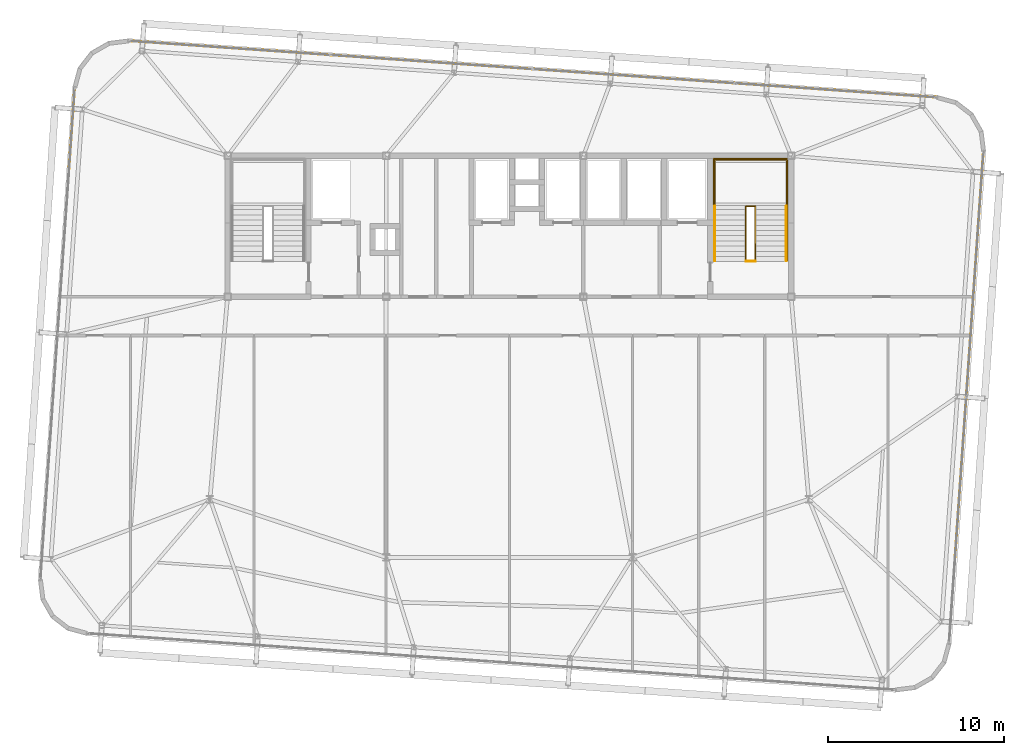
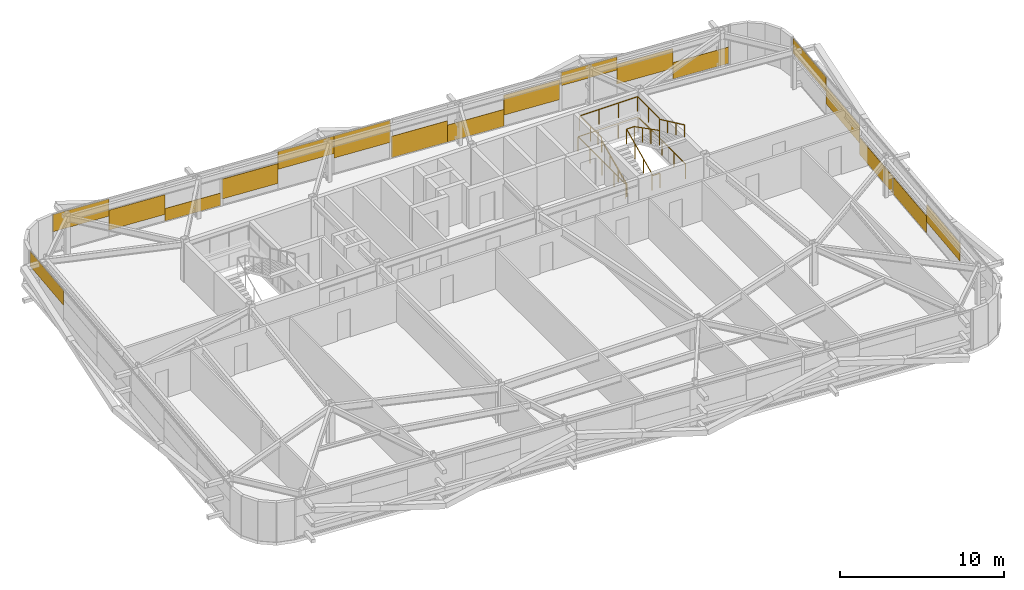
# One storey, part 39 of 39: 18 coverings, 6 railings.
"""IFC4 building model written with IfcOpenShell, lengths in metres."""

import ifcopenshell
import ifcopenshell.guid

model = None  # the IFC model being written
_history = None  # IfcOwnerHistory: only IFC2X3 demands one
_inside = {}  # id of a spatial element -> (the spatial element, [elements in it])
_under = {}  # id of a project, library or spatial element -> (it, [spatial elements below it])
_declared = {}  # id of a project -> (the project, [libraries it declares])
_typed = {}  # id of a type object -> (the type object, [elements of that type])
_made_of = {}  # id of a material, layer set ... -> (it, [elements and type objects made of it])


def new_model(schema):
    """Start an empty IFC model of exactly this schema.

    Asked for "IFC4X3", IfcOpenShell would pick the latest addendum, in which some entities
    have other attributes; the version numbers below select the first issue.
    IFC2X3 requires an IfcOwnerHistory on every rooted entity: one is made here for all.
    """
    global model, _history
    if schema == "IFC4X3":
        model = ifcopenshell.file(schema_version=(4, 3, 0, 0))
    else:
        model = ifcopenshell.file(schema=schema)
    _inside.clear()
    _under.clear()
    _declared.clear()
    _typed.clear()
    _made_of.clear()
    _history = None
    if model.schema == "IFC2X3":
        org = make("IfcOrganization", Name="unknown")
        user = make(
            "IfcPersonAndOrganization",
            ThePerson=make("IfcPerson", FamilyName="unknown"),
            TheOrganization=org,
        )
        app = make(
            "IfcApplication",
            ApplicationDeveloper=org,
            Version="unknown",
            ApplicationFullName="unknown",
            ApplicationIdentifier="unknown",
        )
        _history = make(
            "IfcOwnerHistory",
            OwningUser=user,
            OwningApplication=app,
            ChangeAction="ADDED",
            CreationDate=0,
        )
    return model


def make(cls, **values):
    """One entity of the class cls with the attributes given. An attribute that is None is left unset."""
    return model.create_entity(
        cls, **{name: value for name, value in values.items() if value is not None}
    )


def rooted(cls, **values):
    """An entity with a GlobalId (a new one), such as an element, a storey or a relation."""
    return make(cls, GlobalId=ifcopenshell.guid.new(), OwnerHistory=_history, **values)


def si_unit(unit_type, name, prefix=None):
    """IfcSIUnit, for example si_unit("LENGTHUNIT", "METRE", prefix="MILLI")."""
    return make("IfcSIUnit", UnitType=unit_type, Prefix=prefix, Name=name)


def assignment(units):
    """IfcUnitAssignment: the units of a project."""
    return None if units is None else make("IfcUnitAssignment", Units=units)


def point(xyz):
    """IfcCartesianPoint."""
    return None if xyz is None else make("IfcCartesianPoint", Coordinates=xyz)


def direction(xyz):
    """IfcDirection."""
    return None if xyz is None else make("IfcDirection", DirectionRatios=xyz)


def frame(location, z_axis=None, x_axis=None):
    """IfcAxis2Placement3D, a coordinate frame: its origin and axes. An axis left out is left unset."""
    return make(
        "IfcAxis2Placement3D",
        Location=point(location),
        Axis=direction(z_axis),
        RefDirection=direction(x_axis),
    )


def frame_2d(location, x_axis=None):
    """IfcAxis2Placement2D, a coordinate frame in the plane: its origin and x axis."""
    return make(
        "IfcAxis2Placement2D", Location=point(location), RefDirection=direction(x_axis)
    )


def origin():
    """The frame at (0, 0, 0) with its axes left unset."""
    return frame((0.0, 0.0, 0.0))


def origin_2d():
    """The frame at (0, 0) in the plane with its x axis left unset."""
    return frame_2d((0.0, 0.0))


def place(relative_to, where):
    """IfcLocalPlacement: puts the frame where relative to a parent placement (None: the world)."""
    return make(
        "IfcLocalPlacement", PlacementRelTo=relative_to, RelativePlacement=where
    )


def context(
    kind, dimensions, precision=None, world=None, true_north=None, identifier=None
):
    """IfcGeometricRepresentationContext, for example the 3D "Model" context."""
    return make(
        "IfcGeometricRepresentationContext",
        ContextIdentifier=identifier,
        ContextType=kind,
        CoordinateSpaceDimension=dimensions,
        Precision=precision,
        WorldCoordinateSystem=world,
        TrueNorth=true_north,
    )


def subcontext(parent, identifier, kind, view, scale=None):
    """IfcGeometricRepresentationSubContext, for example "Body" below "Model"."""
    return make(
        "IfcGeometricRepresentationSubContext",
        ContextIdentifier=identifier,
        ContextType=kind,
        ParentContext=parent,
        TargetScale=scale,
        TargetView=view,
    )


def project(units=None, contexts=None):
    """IfcProject with its units and contexts."""
    return rooted(
        "IfcProject",
        Name="project",
        RepresentationContexts=contexts,
        UnitsInContext=assignment(units),
    )


def spatial(cls, under=None, at=None, **own):
    """A site, building, storey or space (cls), placed at a placement, below another one or the project."""
    s = rooted(cls, ObjectPlacement=at, **own)
    if under is not None:
        _under.setdefault(under.id(), (under, []))[1].append(s)
    return s


def profile(cls, at=None, kind="AREA", **sizes):
    """A parametric profile (cls). Its sizes go by their IFC names, for example OverallWidth=200.0."""
    return make(cls, ProfileType=kind, Position=at, **sizes)


def rectangle(**sizes):
    """IfcRectangleProfileDef."""
    return profile("IfcRectangleProfileDef", **sizes)


def extrude(swept, where, along, depth):
    """IfcExtrudedAreaSolid: the profile swept, set in the frame where, extruded along a direction by depth."""
    return make(
        "IfcExtrudedAreaSolid",
        SweptArea=swept,
        Position=where,
        ExtrudedDirection=direction(along),
        Depth=depth,
    )


def shape(context_of_items, identifier, shape_type, items):
    """IfcShapeRepresentation: the items that make up one representation, for example the "Body"."""
    return make(
        "IfcShapeRepresentation",
        ContextOfItems=context_of_items,
        RepresentationIdentifier=identifier,
        RepresentationType=shape_type,
        Items=items,
    )


def source(mapping_origin, context_of_items, identifier, shape_type, items):
    """IfcRepresentationMap: a shape defined once, which mapped items show again and again."""
    return make(
        "IfcRepresentationMap",
        MappingOrigin=mapping_origin,
        MappedRepresentation=shape(context_of_items, identifier, shape_type, items),
    )


def transform(
    local_origin,
    x_axis=None,
    y_axis=None,
    z_axis=None,
    scale=None,
    scale2=None,
    scale3=None,
    uniform=True,
):
    """IfcCartesianTransformationOperator3D, or its non-uniform kind. x_axis, y_axis, z_axis: its Axis1, 2, 3."""
    if uniform:
        return make(
            "IfcCartesianTransformationOperator3D",
            Axis1=direction(x_axis),
            Axis2=direction(y_axis),
            LocalOrigin=point(local_origin),
            Scale=scale,
            Axis3=direction(z_axis),
        )
    return make(
        "IfcCartesianTransformationOperator3DnonUniform",
        Axis1=direction(x_axis),
        Axis2=direction(y_axis),
        LocalOrigin=point(local_origin),
        Scale=scale,
        Axis3=direction(z_axis),
        Scale2=scale2,
        Scale3=scale3,
    )


def mapped(mapping_source, mapping_target):
    """IfcMappedItem: shows the shape of a source again, moved by a transform."""
    return make(
        "IfcMappedItem", MappingSource=mapping_source, MappingTarget=mapping_target
    )


def material(Name=None, Category=None):
    """IfcMaterial."""
    return make("IfcMaterial", Name=Name, Category=Category)


def layer(
    of_material, thickness, ventilated=None, Name=None, Category=None, Priority=None
):
    """IfcMaterialLayer: one layer of a wall or slab, of a material (None: an air gap)."""
    return make(
        "IfcMaterialLayer",
        Material=of_material,
        LayerThickness=thickness,
        IsVentilated=ventilated,
        Name=Name,
        Category=Category,
        Priority=Priority,
    )


def layer_set(layers, Name=None):
    """IfcMaterialLayerSet."""
    return make("IfcMaterialLayerSet", MaterialLayers=layers, LayerSetName=Name)


def made_of(thing, what):
    """Note that an element or type object is made of a material, layer set ...; save() writes the relation."""
    if what is not None:
        _made_of.setdefault(what.id(), (what, []))[1].append(thing)
    return thing


def type_object(cls, material=None, **own):
    """A type object (cls), such as IfcWallType, which elements share."""
    return made_of(rooted(cls, **own), material)


def element(
    cls,
    number,
    at=None,
    inside=None,
    cuts=None,
    type_object=None,
    material=None,
    context=None,
    identifier="Body",
    shape_type=None,
    held_by="IfcProductDefinitionShape",
    body=None,
    shapes=None,
    **own,
):
    """One element of the class cls, such as IfcWall. Its Tag is "e" and its number.

    at: its placement. inside: the storey or other place that contains it. cuts: it is an
    opening in that element (IfcRelVoidsElement). A single representation is given by context,
    identifier, shape_type and body (its items); several are given by shapes. held_by: the class
    of the entity that holds the representations. save() writes the other relations.
    """
    e = rooted(cls, Tag="e%d" % number, ObjectPlacement=at, **own)
    if body is not None:
        shapes = [shape(context, identifier, shape_type, body)]
    if shapes is not None:
        e.Representation = make(held_by, Representations=shapes)
    if inside is not None:
        _inside.setdefault(inside.id(), (inside, []))[1].append(e)
    if cuts is not None:
        rooted(
            "IfcRelVoidsElement", RelatingBuildingElement=cuts, RelatedOpeningElement=e
        )
    if type_object is not None:
        _typed.setdefault(type_object.id(), (type_object, []))[1].append(e)
    return made_of(e, material)


def aggregate(whole, parts):
    """IfcRelAggregates: a whole, such as a stair, and the parts it consists of."""
    return rooted("IfcRelAggregates", RelatingObject=whole, RelatedObjects=parts)


def save(model, path):
    """Write the relations noted so far, then the file.

    IfcRelAggregates (storeys below a building ...), IfcRelContainedInSpatialStructure (elements
    in a storey), IfcRelDefinesByType, IfcRelAssociatesMaterial and IfcRelDeclares: one each for
    every whole, place, type object, material and project.
    """
    for whole, parts in _under.values():
        aggregate(whole, parts)
    for where, things in _inside.values():
        rooted(
            "IfcRelContainedInSpatialStructure",
            RelatedElements=things,
            RelatingStructure=where,
        )
    for kind, things in _typed.values():
        rooted("IfcRelDefinesByType", RelatedObjects=things, RelatingType=kind)
    for what, things in _made_of.values():
        rooted("IfcRelAssociatesMaterial", RelatedObjects=things, RelatingMaterial=what)
    for by, libraries in _declared.values():
        rooted("IfcRelDeclares", RelatingContext=by, RelatedDefinitions=libraries)
    model.write(path)


model = new_model("IFC4")

# Units and contexts
model_context = context("Model", 3, precision=1e-05, world=origin(), true_north=direction((0.0, 1.0)))
body_context = subcontext(model_context, "Body", "Model", "MODEL_VIEW")
ifc_project = project(units=[si_unit("LENGTHUNIT", "METRE"), si_unit("AREAUNIT", "SQUARE_METRE"), si_unit("VOLUMEUNIT", "CUBIC_METRE"), si_unit("PLANEANGLEUNIT", "RADIAN"), si_unit("MASSUNIT", "GRAM", prefix="KILO")], contexts=[model_context])

# Site, building, storey
site_placement = place(None, origin())
site = spatial("IfcSite", under=ifc_project, at=site_placement, CompositionType="ELEMENT")
building_placement = place(site_placement, origin())
building = spatial("IfcBuilding", under=site, at=building_placement, Name="Taldren Reach Tower", CompositionType="ELEMENT")
storey_placement = place(building_placement, frame((0.0, 0.0, 155.050048828125)))
storey = spatial("IfcBuildingStorey", under=building, at=storey_placement, Name="L47", CompositionType="ELEMENT", Elevation=155.050048828125)

# Railings
ifc_material_1 = material(Name="Steel Gr 350 (C350L0)", Category="steel")
ifc_layer_1 = layer(ifc_material_1, 0.050048828125)
ifc_layer_set_1 = layer_set([ifc_layer_1], Name="Steel Gr 350 (C350L0)")
railing_type_1 = type_object("IfcRailingType", Name="RL-STAIR-GR", PredefinedType="GUARDRAIL", material=ifc_layer_set_1)
railing_1_placement = place(storey_placement, frame((46.659912109375, 29.135009765625, 1.574951171875)))
element("IfcRailing", 1, at=railing_1_placement, inside=storey, type_object=railing_type_1, Name="Stair half-landing perimeter guard ST2-L47", PredefinedType="GUARDRAIL", context=body_context, shape_type="SweptSolid", body=[
    extrude(rectangle(XDim=0.047852, YDim=0.047852, at=origin_2d()), frame((0.0, 0.0, 1.09619140625), z_axis=(0.0, 1.0, 0.0), x_axis=(-1.0, 0.0, 0.0)), (0.0, 0.0, 1.0), 2.64501953125),
    extrude(rectangle(XDim=0.047852, YDim=0.047852, at=origin_2d()), frame((0.0, 2.64501953125, 1.09619140625), z_axis=(1.0, 0.0, 0.0), x_axis=(0.0, 1.0, 0.0)), (0.0, 0.0, 1.0), 4.080078125),
    extrude(rectangle(XDim=0.047852, YDim=0.047852, at=origin_2d()), frame((4.080078125, 2.64501953125, 1.09619140625), z_axis=(0.0, -1.0, 0.0), x_axis=(1.0, 0.0, 0.0)), (0.0, 0.0, 1.0), 2.64501953125),
    extrude(rectangle(XDim=0.041992, YDim=0.041992, at=origin_2d()), origin(), (0.0, 0.0, 1.0), 1.072021484375),
    extrude(rectangle(XDim=0.041992, YDim=0.041992, at=origin_2d()), frame((0.0, 1.322509765625, 0.0)), (0.0, 0.0, 1.0), 1.072021484375),
    extrude(rectangle(XDim=0.041992, YDim=0.041992, at=origin_2d()), frame((0.0, 2.64501953125, 0.0)), (0.0, 0.0, 1.0), 1.072021484375),
    extrude(rectangle(XDim=0.041992, YDim=0.041992, at=origin_2d()), frame((1.360107421875, 2.64501953125, 0.0)), (0.0, 0.0, 1.0), 1.072021484375),
    extrude(rectangle(XDim=0.041992, YDim=0.041992, at=origin_2d()), frame((2.719970703125, 2.64501953125, 0.0)), (0.0, 0.0, 1.0), 1.072021484375),
    extrude(rectangle(XDim=0.041992, YDim=0.041992, at=origin_2d()), frame((4.080078125, 2.64501953125, 0.0)), (0.0, 0.0, 1.0), 1.072021484375),
    extrude(rectangle(XDim=0.041992, YDim=0.041992, at=origin_2d()), frame((4.080078125, 1.322509765625, 0.0)), (0.0, 0.0, 1.0), 1.072021484375),
    extrude(rectangle(XDim=0.041992, YDim=0.041992, at=origin_2d()), frame((4.080078125, 0.0, 0.0)), (0.0, 0.0, 1.0), 1.072021484375),
])
railing_2_placement = place(storey_placement, frame((48.429931640625, 26.050048828125, 0.13134765625)))
element("IfcRailing", 2, at=railing_2_placement, inside=storey, type_object=railing_type_1, Name="Stairwell inner guard ST2-L47", PredefinedType="GUARDRAIL", context=body_context, shape_type="SweptSolid", body=[
    extrude(rectangle(XDim=0.047852, YDim=0.047852, at=origin_2d()), frame((0.0, 0.0, 1.09619140625), z_axis=(0.0, 0.905737652094, 0.423838773095), x_axis=(-1.0, 0.0, 0.0)), (0.0, 0.0, 1.0), 3.406005859375),
    extrude(rectangle(XDim=0.047852, YDim=0.047852, at=origin_2d()), frame((0.0, 3.0849609375, 2.53955078125), z_axis=(1.0, 0.0, 0.0), x_axis=(0.0, 1.0, 0.0)), (0.0, 0.0, 1.0), 0.5400390625),
    extrude(rectangle(XDim=0.047852, YDim=0.047852, at=origin_2d()), frame((0.5400390625, 3.0849609375, 2.53955078125), z_axis=(0.0, -0.890645957773, 0.45469745755), x_axis=(1.0, 0.0, 0.0)), (0.0, 0.0, 1.0), 3.463623046875),
    extrude(rectangle(XDim=0.041992, YDim=0.041992, at=origin_2d()), origin(), (0.0, 0.0, 1.0), 1.072021484375),
    extrude(rectangle(XDim=0.041992, YDim=0.041992, at=origin_2d()), frame((0.0, 1.0283203125, 0.481201171875)), (0.0, 0.0, 1.0), 1.072021484375),
    extrude(rectangle(XDim=0.041992, YDim=0.041992, at=origin_2d()), frame((0.0, 2.056640625, 0.96240234375)), (0.0, 0.0, 1.0), 1.072021484375),
    extrude(rectangle(XDim=0.041992, YDim=0.041992, at=origin_2d()), frame((0.0, 3.0849609375, 1.443603515625)), (0.0, 0.0, 1.0), 1.072021484375),
    extrude(rectangle(XDim=0.041992, YDim=0.041992, at=origin_2d()), frame((0.5400390625, 3.0849609375, 1.443603515625)), (0.0, 0.0, 1.0), 1.072021484375),
    extrude(rectangle(XDim=0.041992, YDim=0.041992, at=origin_2d()), frame((0.5400390625, 2.056640625, 1.968505859375)), (0.0, 0.0, 1.0), 1.072021484375),
    extrude(rectangle(XDim=0.041992, YDim=0.041992, at=origin_2d()), frame((0.5400390625, 1.0283203125, 2.49365234375)), (0.0, 0.0, 1.0), 1.072021484375),
    extrude(rectangle(XDim=0.041992, YDim=0.041992, at=origin_2d()), frame((0.5400390625, 0.0, 3.0185546875)), (0.0, 0.0, 1.0), 1.072021484375),
])
railing_3_placement = place(storey_placement, frame((48.429931640625, 26.010009765625, 0.0)))
element("IfcRailing", 3, at=railing_3_placement, inside=storey, type_object=railing_type_1, Name="Stairwell landing slot guard ST2-L47", PredefinedType="GUARDRAIL", context=body_context, shape_type="SweptSolid", body=[
    extrude(rectangle(XDim=0.047852, YDim=0.047852, at=origin_2d()), frame((0.0, 0.0, 1.09619140625), z_axis=(1.0, 0.0, 0.0), x_axis=(0.0, 1.0, 0.0)), (0.0, 0.0, 1.0), 0.5400390625),
    extrude(rectangle(XDim=0.041992, YDim=0.041992, at=origin_2d()), origin(), (0.0, 0.0, 1.0), 1.072021484375),
    extrude(rectangle(XDim=0.041992, YDim=0.041992, at=origin_2d()), frame((0.5400390625, 0.0, 0.0)), (0.0, 0.0, 1.0), 1.072021484375),
])
railing_4_placement = place(storey_placement, frame((46.590087890625, 26.050048828125, 0.0)))
element("IfcRailing", 4, at=railing_4_placement, inside=storey, type_object=railing_type_1, Name="Stairwell floor opening guard ST2-L47", PredefinedType="GUARDRAIL", context=body_context, shape_type="SweptSolid", body=[
    extrude(rectangle(XDim=0.047852, YDim=0.047852, at=origin_2d()), frame((0.0, 0.0, 1.09619140625), z_axis=(0.0, 1.0, 0.0), x_axis=(-1.0, 0.0, 0.0)), (0.0, 0.0, 1.0), 5.800048828125),
    extrude(rectangle(XDim=0.047852, YDim=0.047852, at=origin_2d()), frame((0.0, 5.800048828125, 1.09619140625), z_axis=(1.0, 0.0, 0.0), x_axis=(0.0, 1.0, 0.0)), (0.0, 0.0, 1.0), 4.219970703125),
    extrude(rectangle(XDim=0.047852, YDim=0.047852, at=origin_2d()), frame((4.219970703125, 5.800048828125, 1.09619140625), z_axis=(0.0, -1.0, 0.0), x_axis=(1.0, 0.0, 0.0)), (0.0, 0.0, 1.0), 5.800048828125),
    extrude(rectangle(XDim=0.041992, YDim=0.041992, at=origin_2d()), origin(), (0.0, 0.0, 1.0), 1.072021484375),
    extrude(rectangle(XDim=0.041992, YDim=0.041992, at=origin_2d()), frame((0.0, 1.449951171875, 0.0)), (0.0, 0.0, 1.0), 1.072021484375),
    extrude(rectangle(XDim=0.041992, YDim=0.041992, at=origin_2d()), frame((0.0, 2.89990234375, 0.0)), (0.0, 0.0, 1.0), 1.072021484375),
    extrude(rectangle(XDim=0.041992, YDim=0.041992, at=origin_2d()), frame((0.0, 4.35009765625, 0.0)), (0.0, 0.0, 1.0), 1.072021484375),
    extrude(rectangle(XDim=0.041992, YDim=0.041992, at=origin_2d()), frame((0.0, 5.800048828125, 0.0)), (0.0, 0.0, 1.0), 1.072021484375),
    extrude(rectangle(XDim=0.041992, YDim=0.041992, at=origin_2d()), frame((1.40673828125, 5.800048828125, 0.0)), (0.0, 0.0, 1.0), 1.072021484375),
    extrude(rectangle(XDim=0.041992, YDim=0.041992, at=origin_2d()), frame((2.813232421875, 5.800048828125, 0.0)), (0.0, 0.0, 1.0), 1.072021484375),
    extrude(rectangle(XDim=0.041992, YDim=0.041992, at=origin_2d()), frame((4.219970703125, 5.800048828125, 0.0)), (0.0, 0.0, 1.0), 1.072021484375),
    extrude(rectangle(XDim=0.041992, YDim=0.041992, at=origin_2d()), frame((4.219970703125, 4.35009765625, 0.0)), (0.0, 0.0, 1.0), 1.072021484375),
    extrude(rectangle(XDim=0.041992, YDim=0.041992, at=origin_2d()), frame((4.219970703125, 2.89990234375, 0.0)), (0.0, 0.0, 1.0), 1.072021484375),
    extrude(rectangle(XDim=0.041992, YDim=0.041992, at=origin_2d()), frame((4.219970703125, 1.449951171875, 0.0)), (0.0, 0.0, 1.0), 1.072021484375),
    extrude(rectangle(XDim=0.041992, YDim=0.041992, at=origin_2d()), frame((4.219970703125, 0.0, 0.0)), (0.0, 0.0, 1.0), 1.072021484375),
])
ifc_material_2 = material(Name="Stainless Steel Gr 316", Category="steel")
ifc_layer_2 = layer(ifc_material_2, 0.048095703125)
ifc_layer_set_2 = layer_set([ifc_layer_2], Name="Stainless Steel Gr 316")
railing_type_2 = type_object("IfcRailingType", Name="RL-STAIR-HR", PredefinedType="HANDRAIL", material=ifc_layer_set_2)
railing_5_placement = place(storey_placement, frame((46.669921875, 26.050048828125, 0.13134765625)))
element("IfcRailing", 5, at=railing_5_placement, inside=storey, type_object=railing_type_2, Name="Stair flight handrail ST2-L47-1", PredefinedType="HANDRAIL", context=body_context, shape_type="SweptSolid", body=[
    extrude(rectangle(XDim=0.047852, YDim=0.047852, at=origin_2d()), frame((0.0, 0.0, 0.89599609375), z_axis=(0.0, 0.905737652094, 0.423838773095), x_axis=(-1.0, 0.0, 0.0)), (0.0, 0.0, 1.0), 3.406005859375),
    extrude(rectangle(XDim=0.041992, YDim=0.041992, at=origin_2d()), origin(), (0.0, 0.0, 1.0), 0.871826171875),
    extrude(rectangle(XDim=0.041992, YDim=0.041992, at=origin_2d()), frame((0.0, 1.0283203125, 0.481201171875)), (0.0, 0.0, 1.0), 0.871826171875),
    extrude(rectangle(XDim=0.041992, YDim=0.041992, at=origin_2d()), frame((0.0, 2.056640625, 0.96240234375)), (0.0, 0.0, 1.0), 0.871826171875),
    extrude(rectangle(XDim=0.041992, YDim=0.041992, at=origin_2d()), frame((0.0, 3.0849609375, 1.443603515625)), (0.0, 0.0, 1.0), 0.871826171875),
])
railing_6_placement = place(storey_placement, frame((50.72998046875, 29.135009765625, 1.7060546875)))
element("IfcRailing", 6, at=railing_6_placement, inside=storey, type_object=railing_type_2, Name="Stair flight handrail ST2-L47-2", PredefinedType="HANDRAIL", context=body_context, shape_type="SweptSolid", body=[
    extrude(rectangle(XDim=0.047852, YDim=0.047852, at=origin_2d()), frame((0.0, 0.0, 0.89599609375), z_axis=(0.0, -0.905710134349, 0.423897573167), x_axis=(1.0, 0.0, 0.0)), (0.0, 0.0, 1.0), 3.406005859375),
    extrude(rectangle(XDim=0.041992, YDim=0.041992, at=origin_2d()), origin(), (0.0, 0.0, 1.0), 0.871826171875),
    extrude(rectangle(XDim=0.041992, YDim=0.041992, at=origin_2d()), frame((0.0, -1.0283203125, 0.481201171875)), (0.0, 0.0, 1.0), 0.871826171875),
    extrude(rectangle(XDim=0.041992, YDim=0.041992, at=origin_2d()), frame((0.0, -2.056640625, 0.962646484375)), (0.0, 0.0, 1.0), 0.871826171875),
    extrude(rectangle(XDim=0.041992, YDim=0.041992, at=origin_2d()), frame((0.0, -3.0849609375, 1.44384765625)), (0.0, 0.0, 1.0), 0.871826171875),
])

# Coverings
ifc_material_3 = material(Name="Pale Champagne Fluoropolymer Aluminium Spandrel Cladding", Category="aluminium")
ifc_layer_3 = layer(ifc_material_3, 0.0439453125)
ifc_layer_set_3 = layer_set([ifc_layer_3], Name="Pale Champagne Fluoropolymer Aluminium Spandrel Cladding")
covering_type = type_object("IfcCoveringType", Name="CV-CLAD-044", PredefinedType="CLADDING", material=ifc_layer_set_3)
shared_shape_1 = source(origin(), body_context, "Body", "SweptSolid", [
    extrude(rectangle(XDim=3.79833984375, YDim=0.0439453125, at=origin_2d()), origin(), (0.0, 0.0, 1.0), 1.22216796875),
])
covering_1_placement = place(storey_placement, frame((57.3056640625, 35.451904296875, 0.054931640625), z_axis=(0.0, 0.0, 1.0), x_axis=(-0.99756404731, 0.06975651593, 0.0)))
element("IfcCovering", 7, at=covering_1_placement, inside=storey, type_object=covering_type, Name="Diagrid closure cladding strip CW-4 panel 1.1 1", PredefinedType="CLADDING", context=body_context, shape_type="MappedRepresentation", body=[
    mapped(shared_shape_1, transform((0.0, 0.0, 0.0), scale=1.0)),
])
shared_shape_2 = source(origin(), body_context, "Body", "SweptSolid", [
    extrude(rectangle(XDim=3.79833984375, YDim=0.0439453125, at=origin_2d()), origin(), (0.0, 0.0, 1.0), 1.474365234375),
])
for number, where, z_axis, x_axis, name in (
    (8, (53.5166015625, 35.716796875, 0.84228515625), (0.0, 0.0, 1.0), (-0.99756404731, 0.06975651593, 0.0), "Diagrid closure cladding strip CW-4 panel 1.1 2"),
    (9, (19.135498046875, 38.12109375, 0.55322265625), (0.0, 0.0, 1.0), (-0.99756404731, 0.06975651593, 0.0), "Diagrid closure cladding strip CW-4 panel 4.1 2"),
):
    element("IfcCovering", number, at=place(storey_placement, frame(where, z_axis=z_axis, x_axis=x_axis)), inside=storey, type_object=covering_type, Name=name, PredefinedType="CLADDING", context=body_context, shape_type="MappedRepresentation", body=[
        mapped(shared_shape_2, transform((0.0, 0.0, 0.0), scale=1.0)),
    ])
shared_shape_3 = source(origin(), body_context, "Body", "SweptSolid", [
    extrude(rectangle(XDim=3.79833984375, YDim=0.0439453125, at=origin_2d()), origin(), (0.0, 0.0, 1.0), 0.993408203125),
])
covering_2_placement = place(storey_placement, frame((49.7275390625, 35.981689453125, 1.88134765625), z_axis=(0.0, 0.0, 1.0), x_axis=(-0.99756404731, 0.06975651593, 0.0)))
element("IfcCovering", 10, at=covering_2_placement, inside=storey, type_object=covering_type, Name="Diagrid closure cladding strip CW-4 panel 1.1 3", PredefinedType="CLADDING", context=body_context, shape_type="MappedRepresentation", body=[
    mapped(shared_shape_3, transform((0.0, 0.0, 0.0), scale=1.0)),
])
shared_shape_4 = source(origin(), body_context, "Body", "SweptSolid", [
    extrude(rectangle(XDim=3.81005859375, YDim=0.0439453125, at=origin_2d()), origin(), (0.0, 0.0, 1.0), 1.477783203125),
])
for number, where, z_axis, x_axis, name in (
    (11, (45.86279296875, 36.251953125, 0.88232421875), (0.0, 0.0, 1.0), (-0.99756404731, 0.06975651593, 0.0), "Diagrid closure cladding strip CW-4 panel 2.1 1"),
    (12, (26.789306640625, 37.585693359375, 0.509765625), (0.0, 0.0, 1.0), (-0.99756404731, 0.06975651593, 0.0), "Diagrid closure cladding strip CW-4 panel 3.1 3"),
):
    element("IfcCovering", number, at=place(storey_placement, frame(where, z_axis=z_axis, x_axis=x_axis)), inside=storey, type_object=covering_type, Name=name, PredefinedType="CLADDING", context=body_context, shape_type="MappedRepresentation", body=[
        mapped(shared_shape_4, transform((0.0, 0.0, 0.0), scale=1.0)),
    ])
shared_shape_5 = source(origin(), body_context, "Body", "SweptSolid", [
    extrude(rectangle(XDim=3.81005859375, YDim=0.0439453125, at=origin_2d()), origin(), (0.0, 0.0, 1.0), 1.26220703125),
])
covering_3_placement = place(storey_placement, frame((42.06201171875, 36.517822265625, 0.054931640625), z_axis=(0.0, 0.0, 1.0), x_axis=(-0.99756404731, 0.06975651593, 0.0)))
element("IfcCovering", 13, at=covering_3_placement, inside=storey, type_object=covering_type, Name="Diagrid closure cladding strip CW-4 panel 2.1 2", PredefinedType="CLADDING", context=body_context, shape_type="MappedRepresentation", body=[
    mapped(shared_shape_5, transform((0.0, 0.0, 0.0), scale=1.0)),
])
shared_shape_6 = source(origin(), body_context, "Body", "SweptSolid", [
    extrude(rectangle(XDim=3.81005859375, YDim=0.0439453125, at=origin_2d()), origin(), (0.0, 0.0, 1.0), 1.587890625),
])
covering_4_placement = place(storey_placement, frame((38.261474609375, 36.78369140625, 0.054931640625), z_axis=(0.0, 0.0, 1.0), x_axis=(-0.99756404731, 0.06975651593, 0.0)))
element("IfcCovering", 14, at=covering_4_placement, inside=storey, type_object=covering_type, Name="Diagrid closure cladding strip CW-4 panel 2.1 3", PredefinedType="CLADDING", context=body_context, shape_type="MappedRepresentation", body=[
    mapped(shared_shape_6, transform((0.0, 0.0, 0.0), scale=1.0)),
])
shared_shape_7 = source(origin(), body_context, "Body", "SweptSolid", [
    extrude(rectangle(XDim=3.81005859375, YDim=0.0439453125, at=origin_2d()), origin(), (0.0, 0.0, 1.0), 1.64794921875),
])
covering_5_placement = place(storey_placement, frame((34.390869140625, 37.05419921875, 1.22705078125), z_axis=(0.0, 0.0, 1.0), x_axis=(-0.99756404731, 0.06975651593, 0.0)))
element("IfcCovering", 15, at=covering_5_placement, inside=storey, type_object=covering_type, Name="Diagrid closure cladding strip CW-4 panel 3.1 1", PredefinedType="CLADDING", context=body_context, shape_type="MappedRepresentation", body=[
    mapped(shared_shape_7, transform((0.0, 0.0, 0.0), scale=1.0)),
])
shared_shape_8 = source(origin(), body_context, "Body", "SweptSolid", [
    extrude(rectangle(XDim=3.81005859375, YDim=0.0439453125, at=origin_2d()), origin(), (0.0, 0.0, 1.0), 1.322265625),
])
covering_6_placement = place(storey_placement, frame((30.590087890625, 37.320068359375, 1.552734375), z_axis=(0.0, 0.0, 1.0), x_axis=(-0.99756404731, 0.06975651593, 0.0)))
element("IfcCovering", 16, at=covering_6_placement, inside=storey, type_object=covering_type, Name="Diagrid closure cladding strip CW-4 panel 3.1 2", PredefinedType="CLADDING", context=body_context, shape_type="MappedRepresentation", body=[
    mapped(shared_shape_8, transform((0.0, 0.0, 0.0), scale=1.0)),
])
shared_shape_9 = source(origin(), body_context, "Body", "SweptSolid", [
    extrude(rectangle(XDim=3.79833984375, YDim=0.0439453125, at=origin_2d()), origin(), (0.0, 0.0, 1.0), 0.93359375),
])
covering_7_placement = place(storey_placement, frame((22.924560546875, 37.85595703125, 0.054931640625), z_axis=(0.0, 0.0, 1.0), x_axis=(-0.99756404731, 0.06975651593, 0.0)))
element("IfcCovering", 17, at=covering_7_placement, inside=storey, type_object=covering_type, Name="Diagrid closure cladding strip CW-4 panel 4.1 1", PredefinedType="CLADDING", context=body_context, shape_type="MappedRepresentation", body=[
    mapped(shared_shape_9, transform((0.0, 0.0, 0.0), scale=1.0)),
])
shared_shape_10 = source(origin(), body_context, "Body", "SweptSolid", [
    extrude(rectangle(XDim=3.79833984375, YDim=0.0439453125, at=origin_2d()), origin(), (0.0, 0.0, 1.0), 1.2822265625),
])
covering_8_placement = place(storey_placement, frame((15.346435546875, 38.385986328125, 1.5927734375), z_axis=(0.0, 0.0, 1.0), x_axis=(-0.99756404731, 0.06975651593, 0.0)))
element("IfcCovering", 18, at=covering_8_placement, inside=storey, type_object=covering_type, Name="Diagrid closure cladding strip CW-4 panel 4.1 3", PredefinedType="CLADDING", context=body_context, shape_type="MappedRepresentation", body=[
    mapped(shared_shape_10, transform((0.0, 0.0, 0.0), scale=1.0)),
])
shared_shape_11 = source(origin(), body_context, "Body", "SweptSolid", [
    extrude(rectangle(XDim=4.631591796875, YDim=0.0439453125, at=origin_2d()), origin(), (0.0, 0.0, 1.0), 1.306640625),
])
for number, where, z_axis, x_axis, name in (
    (19, (60.4599609375, 11.33056640625, 0.892333984375), (0.0, 0.0, 1.0), (0.069756437251, 0.997564052812, 0.0), "Diagrid closure cladding strip CW-4 panel 1.1 2"),
    (20, (61.43408203125, 25.261474609375, 0.892333984375), (0.0, 0.0, 1.0), (0.069756437251, 0.997564052812, 0.0), "Diagrid closure cladding strip CW-4 panel 2.1 2"),
):
    element("IfcCovering", number, at=place(storey_placement, frame(where, z_axis=z_axis, x_axis=x_axis)), inside=storey, type_object=covering_type, Name=name, PredefinedType="CLADDING", context=body_context, shape_type="MappedRepresentation", body=[
        mapped(shared_shape_11, transform((0.0, 0.0, 0.0), scale=1.0)),
    ])
shared_shape_12 = source(origin(), body_context, "Body", "SweptSolid", [
    extrude(rectangle(XDim=4.631591796875, YDim=0.0439453125, at=origin_2d()), origin(), (0.0, 0.0, 1.0), 1.103515625),
])
for number, where, z_axis, x_axis, name in (
    (21, (10.1630859375, 33.48974609375, 1.771484375), (0.0, 0.0, 1.0), (-0.069756437251, -0.997564052812, 0.0), "Diagrid closure cladding strip CW-4 panel 1.1 1"),
    (22, (61.757080078125, 29.882080078125, 1.771484375), (0.0, 0.0, 1.0), (0.069756437251, 0.997564052812, 0.0), "Diagrid closure cladding strip CW-4 panel 2.1 3"),
):
    element("IfcCovering", number, at=place(storey_placement, frame(where, z_axis=z_axis, x_axis=x_axis)), inside=storey, type_object=covering_type, Name=name, PredefinedType="CLADDING", context=body_context, shape_type="MappedRepresentation", body=[
        mapped(shared_shape_12, transform((0.0, 0.0, 0.0), scale=1.0)),
    ])
shared_shape_13 = source(origin(), body_context, "Body", "SweptSolid", [
    extrude(rectangle(XDim=4.631591796875, YDim=0.0439453125, at=origin_2d()), origin(), (0.0, 0.0, 1.0), 1.2646484375),
])
for number, where, z_axis, x_axis, name in (
    (23, (60.782958984375, 15.950927734375, 0.054931640625), (0.0, 0.0, 1.0), (0.069756437251, 0.997564052812, 0.0), "Diagrid closure cladding strip CW-4 panel 1.1 3"),
    (24, (61.111083984375, 20.64111328125, 0.054931640625), (0.0, 0.0, 1.0), (0.069756437251, 0.997564052812, 0.0), "Diagrid closure cladding strip CW-4 panel 2.1 1"),
):
    element("IfcCovering", number, at=place(storey_placement, frame(where, z_axis=z_axis, x_axis=x_axis)), inside=storey, type_object=covering_type, Name=name, PredefinedType="CLADDING", context=body_context, shape_type="MappedRepresentation", body=[
        mapped(shared_shape_13, transform((0.0, 0.0, 0.0), scale=1.0)),
    ])

save(model, "model.ifc")
